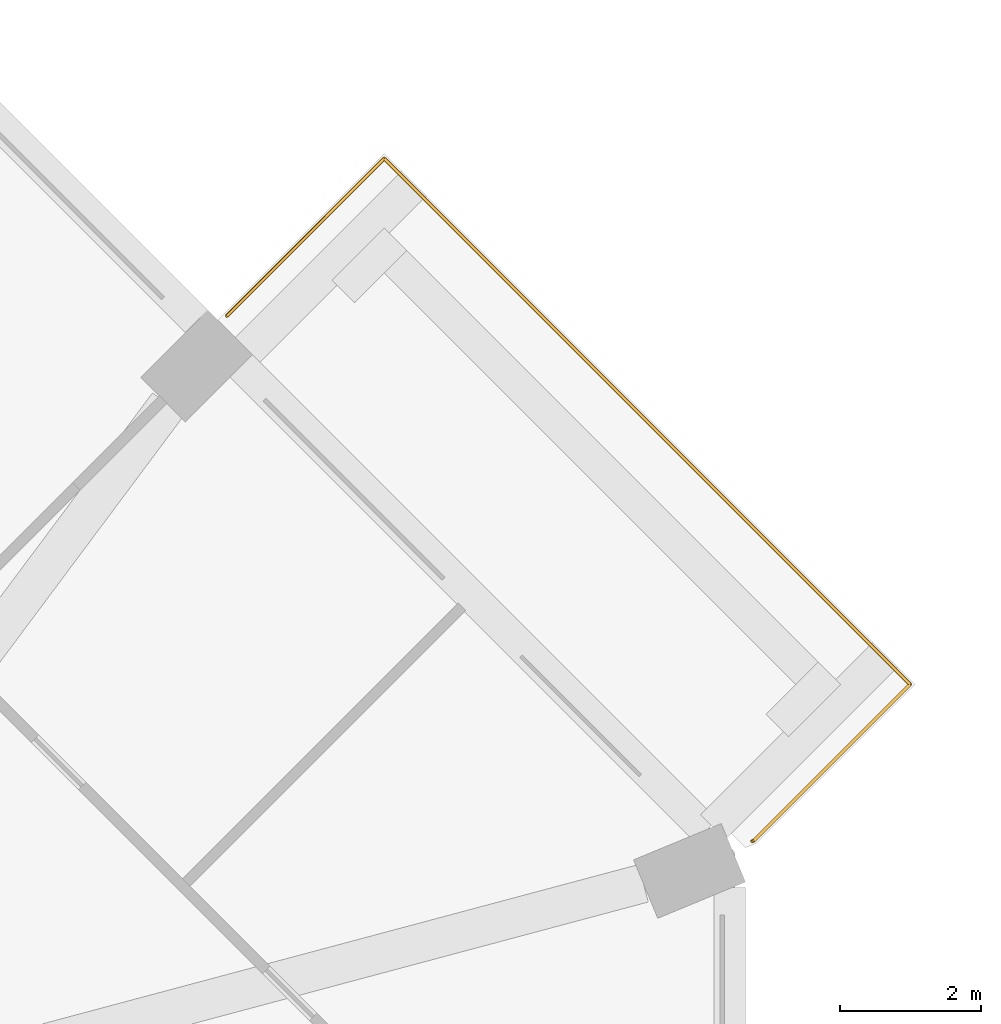
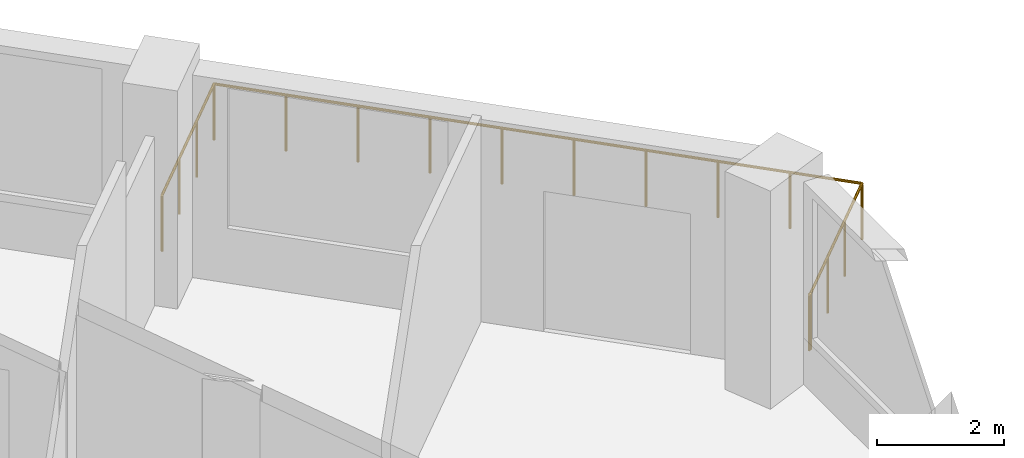
# One storey, part 13 of 13: 1 railing.
"""IFC4 building model written with IfcOpenShell, lengths in metres."""

from ifc_helpers import new_model, si_unit, direction, frame, origin, origin_2d, place, context, subcontext, project, spatial, circle, extrude, material, constituent, constituent_set, type_object, element, save


model = new_model("IFC4")

# Units and contexts
model_context = context("Model", 3, precision=1e-05, world=origin(), true_north=direction((0.0, 1.0)))
body_context = subcontext(model_context, "Body", "Model", "MODEL_VIEW")
ifc_project = project(units=[si_unit("LENGTHUNIT", "METRE"), si_unit("AREAUNIT", "SQUARE_METRE"), si_unit("VOLUMEUNIT", "CUBIC_METRE"), si_unit("PLANEANGLEUNIT", "RADIAN"), si_unit("MASSUNIT", "GRAM", prefix="KILO")], contexts=[model_context])

# Site, building, storey
site_placement = place(None, origin())
site = spatial("IfcSite", under=ifc_project, at=site_placement, CompositionType="ELEMENT")
building_placement = place(site_placement, origin())
building = spatial("IfcBuilding", under=site, at=building_placement, Name="Msitu Wima Residences", CompositionType="ELEMENT")
storey_placement = place(building_placement, frame((0.0, 0.0, 54.89990234375)))
storey = spatial("IfcBuildingStorey", under=building, at=storey_placement, Name="L12", CompositionType="ELEMENT", Elevation=54.89990234375)

# Railing
ifc_material_1 = material(Name="Steel S355", Category="steel")
ifc_constituent_1 = constituent(ifc_material_1, Name="Steel S355")
ifc_material_2 = material(Name="Weathering patina")
ifc_constituent_2 = constituent(ifc_material_2, Name="Weathering patina")
ifc_constituent_set = constituent_set(constituents=[ifc_constituent_1, ifc_constituent_2], Name="Steel S355")
railing_type = type_object("IfcRailingType", Name="Balcony guard GR1100", PredefinedType="GUARDRAIL", material=ifc_constituent_set)
railing_placement = place(storey_placement, frame((21.86865234375, 22.151611328125, 0.0)))
element("IfcRailing", 1, at=railing_placement, inside=storey, type_object=railing_type, Name="Balcony guard NE0 L12", PredefinedType="GUARDRAIL", context=body_context, shape_type="SweptSolid", body=[
    extrude(circle(Radius=0.02392578125, at=origin_2d()), frame((0.0, 0.0, 1.076171875), z_axis=(0.707145287287, 0.707068272989, 0.0), x_axis=(-0.707068272989, 0.707145287287, 0.0)), (0.0, 0.0, 1.0), 3.170166015625),
    extrude(circle(Radius=0.02392578125, at=origin_2d()), frame((2.24169921875, 2.241455078125, 1.076171875), z_axis=(0.70709524572, -0.707118316465, 0.0), x_axis=(0.707118316465, 0.70709524572, 0.0)), (0.0, 0.0, 1.0), 10.582275390625),
    extrude(circle(Radius=0.02392578125, at=origin_2d()), frame((9.724365234375, -5.241455078125, 1.076171875), z_axis=(-0.707106781187, -0.707106781187, 0.0), x_axis=(0.707106781187, -0.707106781187, 0.0)), (0.0, 0.0, 1.0), 3.136474609375),
    extrude(circle(Radius=0.02392578125, at=origin_2d()), frame((7.506591796875, -7.459228515625, 1.076171875), z_axis=(-0.923276184907, -0.384136806859, 0.0), x_axis=(0.384136806859, -0.923276184907, 0.0)), (0.0, 0.0, 1.0), 0.0361328125),
    extrude(circle(Radius=0.02099609375, at=origin_2d()), origin(), (0.0, 0.0, 1.0), 1.052001953125),
    extrude(circle(Radius=0.02099609375, at=origin_2d()), frame((0.747314453125, 0.7470703125, 0.0)), (0.0, 0.0, 1.0), 1.052001953125),
    extrude(circle(Radius=0.02099609375, at=origin_2d()), frame((1.494384765625, 1.494384765625, 0.0)), (0.0, 0.0, 1.0), 1.052001953125),
    extrude(circle(Radius=0.02099609375, at=origin_2d()), frame((2.24169921875, 2.241455078125, 0.0)), (0.0, 0.0, 1.0), 1.052001953125),
    extrude(circle(Radius=0.02099609375, at=origin_2d()), frame((3.072998046875, 1.409912109375, 0.0)), (0.0, 0.0, 1.0), 1.052001953125),
    extrude(circle(Radius=0.02099609375, at=origin_2d()), frame((3.904541015625, 0.57861328125, 0.0)), (0.0, 0.0, 1.0), 1.052001953125),
    extrude(circle(Radius=0.02099609375, at=origin_2d()), frame((4.73583984375, -0.2529296875, 0.0)), (0.0, 0.0, 1.0), 1.052001953125),
    extrude(circle(Radius=0.02099609375, at=origin_2d()), frame((5.5673828125, -1.084228515625, 0.0)), (0.0, 0.0, 1.0), 1.052001953125),
    extrude(circle(Radius=0.02099609375, at=origin_2d()), frame((6.398681640625, -1.915771484375, 0.0)), (0.0, 0.0, 1.0), 1.052001953125),
    extrude(circle(Radius=0.02099609375, at=origin_2d()), frame((7.230224609375, -2.7470703125, 0.0)), (0.0, 0.0, 1.0), 1.052001953125),
    extrude(circle(Radius=0.02099609375, at=origin_2d()), frame((8.0615234375, -3.57861328125, 0.0)), (0.0, 0.0, 1.0), 1.052001953125),
    extrude(circle(Radius=0.02099609375, at=origin_2d()), frame((8.89306640625, -4.409912109375, 0.0)), (0.0, 0.0, 1.0), 1.052001953125),
    extrude(circle(Radius=0.02099609375, at=origin_2d()), frame((9.724365234375, -5.241455078125, 0.0)), (0.0, 0.0, 1.0), 1.052001953125),
    extrude(circle(Radius=0.02099609375, at=origin_2d()), frame((8.985107421875, -5.980712890625, 0.0)), (0.0, 0.0, 1.0), 1.052001953125),
    extrude(circle(Radius=0.02099609375, at=origin_2d()), frame((8.245849609375, -6.719970703125, 0.0)), (0.0, 0.0, 1.0), 1.052001953125),
    extrude(circle(Radius=0.02099609375, at=origin_2d()), frame((7.506591796875, -7.459228515625, 0.0)), (0.0, 0.0, 1.0), 1.052001953125),
    extrude(circle(Radius=0.02099609375, at=origin_2d()), frame((7.47314453125, -7.47314453125, 0.0)), (0.0, 0.0, 1.0), 1.052001953125),
])

save(model, "model.ifc")
